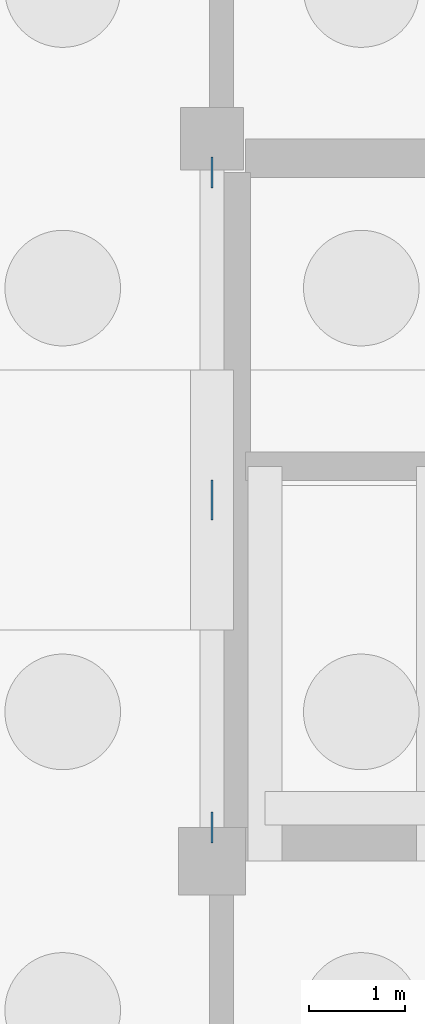
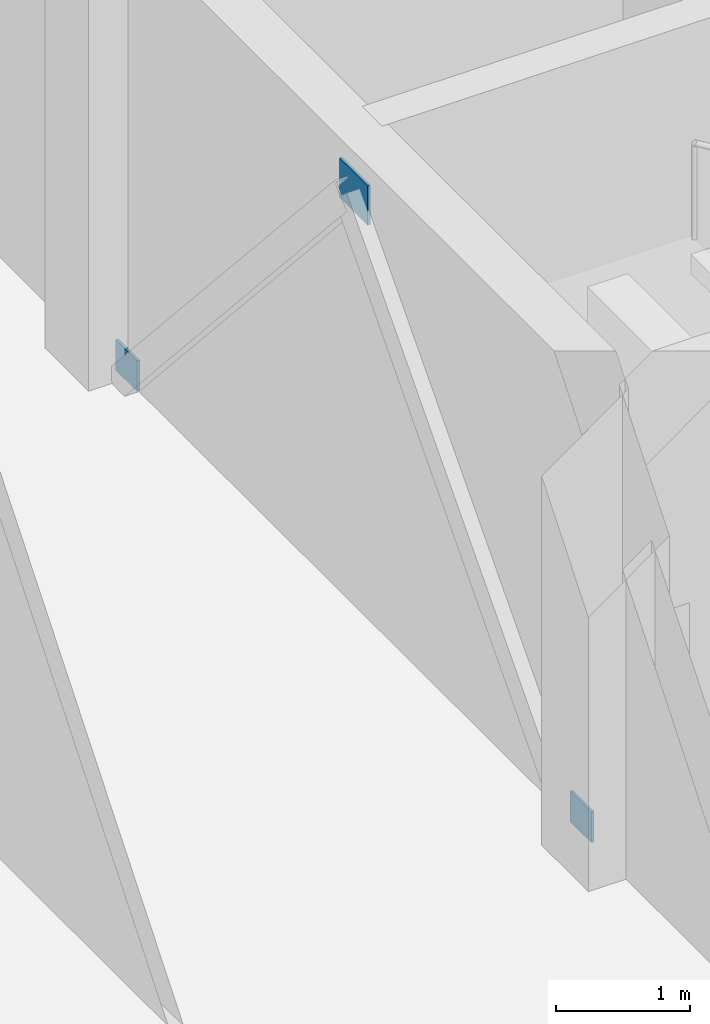
# One storey, part 25 of 42: 3 plates.
"""IFC4 building model written with IfcOpenShell, lengths in metres."""

from ifc_helpers import new_model, si_unit, direction, frame, origin, origin_2d, place, context, subcontext, project, spatial, rectangle, extrude, material, layer, layer_set, type_object, element, save


model = new_model("IFC4")

# Units and contexts
model_context = context("Model", 3, precision=1e-05, world=origin(), true_north=direction((0.0, 1.0)))
body_context = subcontext(model_context, "Body", "Model", "MODEL_VIEW")
ifc_project = project(units=[si_unit("LENGTHUNIT", "METRE"), si_unit("AREAUNIT", "SQUARE_METRE"), si_unit("VOLUMEUNIT", "CUBIC_METRE"), si_unit("PLANEANGLEUNIT", "RADIAN"), si_unit("MASSUNIT", "GRAM", prefix="KILO")], contexts=[model_context])

# Site, building, storey
site_placement = place(None, origin())
site = spatial("IfcSite", under=ifc_project, at=site_placement, CompositionType="ELEMENT")
building_placement = place(site_placement, origin())
building = spatial("IfcBuilding", under=site, at=building_placement, Name="Dalvernix Boulevard General Hospital", CompositionType="ELEMENT")
storey_placement = place(building_placement, frame((0.0, 0.0, -4.5)))
storey = spatial("IfcBuildingStorey", under=building, at=storey_placement, Name="B1", CompositionType="ELEMENT", Elevation=-4.5)

# Plates
ifc_material = material(Name="Steel S355", Category="steel")
ifc_layer = layer(ifc_material, 0.031982421875)
ifc_layer_set = layer_set([ifc_layer], Name="Steel S355 (PLT-NP-04)")
plate_type = type_object("IfcPlateType", Name="PLT-NP-04", PredefinedType="SHEET", material=ifc_layer_set)
plate_placement = place(storey_placement, frame((157.5, 42.75, 3.60986328125), z_axis=(0.0, 0.0, 1.0), x_axis=(0.0, 1.0, 0.0)))
element("IfcPlate", 1, at=plate_placement, inside=storey, type_object=plate_type, Name="B1 brace apex gusset plate 3", PredefinedType="SHEET", context=body_context, shape_type="SweptSolid", body=[
    extrude(rectangle(XDim=0.419921875, YDim=0.02392578125, at=origin_2d()), origin(), (0.0, 0.0, 1.0), 0.360107421875),
])
for number, where, z_axis, x_axis, name in (
    (2, (157.5, 39.35009765625, 0.0), (0.0, 0.0, 1.0), (0.0, 1.0, 0.0), "B1 brace base gusset plate 3S"),
    (3, (157.5, 46.14990234375, 0.0), (0.0, 0.0, 1.0), (0.0, 1.0, 0.0), "B1 brace base gusset plate 3N"),
):
    element("IfcPlate", number, at=place(storey_placement, frame(where, z_axis=z_axis, x_axis=x_axis)), inside=storey, type_object=plate_type, Name=name, PredefinedType="SHEET", context=body_context, shape_type="SweptSolid", body=[
        extrude(rectangle(XDim=0.320068359375, YDim=0.02392578125, at=origin_2d()), origin(), (0.0, 0.0, 1.0), 0.280029296875),
    ])

save(model, "model.ifc")
